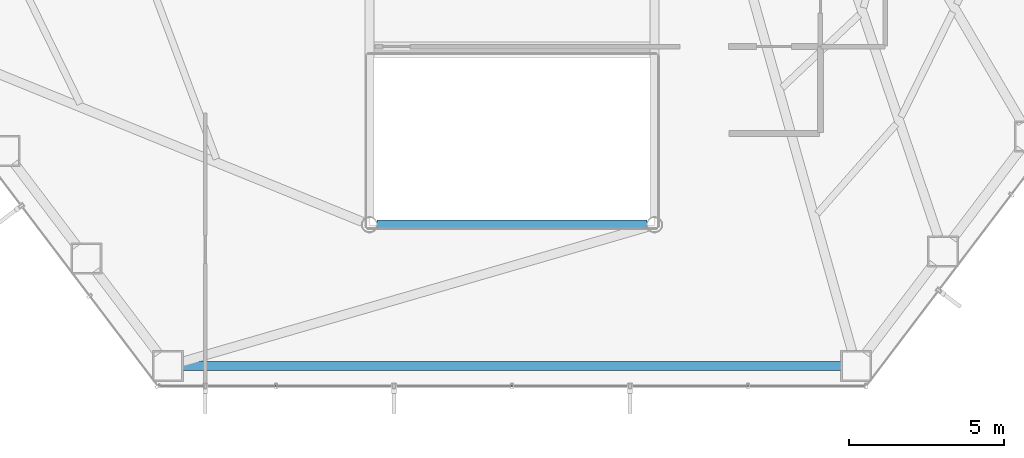
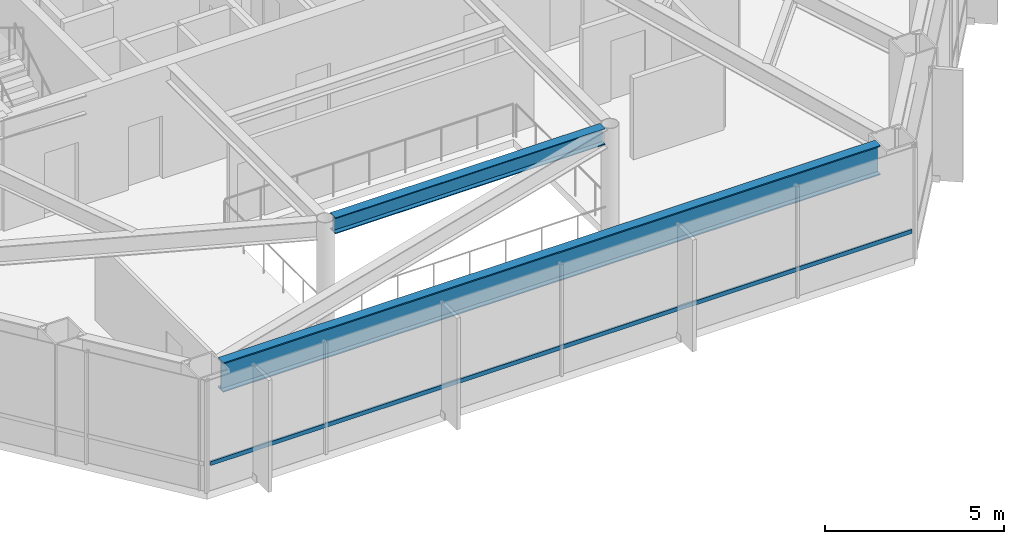
# One storey, part 6 of 26: 2 beams, 1 member, 1 element without a shape of its own.
"""IFC4 building model written with IfcOpenShell, lengths in metres."""

import ifcopenshell
import ifcopenshell.guid

model = None  # the IFC model being written
_history = None  # IfcOwnerHistory: only IFC2X3 demands one
_inside = {}  # id of a spatial element -> (the spatial element, [elements in it])
_under = {}  # id of a project, library or spatial element -> (it, [spatial elements below it])
_declared = {}  # id of a project -> (the project, [libraries it declares])
_typed = {}  # id of a type object -> (the type object, [elements of that type])
_made_of = {}  # id of a material, layer set ... -> (it, [elements and type objects made of it])


def new_model(schema):
    """Start an empty IFC model of exactly this schema.

    Asked for "IFC4X3", IfcOpenShell would pick the latest addendum, in which some entities
    have other attributes; the version numbers below select the first issue.
    IFC2X3 requires an IfcOwnerHistory on every rooted entity: one is made here for all.
    """
    global model, _history
    if schema == "IFC4X3":
        model = ifcopenshell.file(schema_version=(4, 3, 0, 0))
    else:
        model = ifcopenshell.file(schema=schema)
    _inside.clear()
    _under.clear()
    _declared.clear()
    _typed.clear()
    _made_of.clear()
    _history = None
    if model.schema == "IFC2X3":
        org = make("IfcOrganization", Name="unknown")
        user = make(
            "IfcPersonAndOrganization",
            ThePerson=make("IfcPerson", FamilyName="unknown"),
            TheOrganization=org,
        )
        app = make(
            "IfcApplication",
            ApplicationDeveloper=org,
            Version="unknown",
            ApplicationFullName="unknown",
            ApplicationIdentifier="unknown",
        )
        _history = make(
            "IfcOwnerHistory",
            OwningUser=user,
            OwningApplication=app,
            ChangeAction="ADDED",
            CreationDate=0,
        )
    return model


def make(cls, **values):
    """One entity of the class cls with the attributes given. An attribute that is None is left unset."""
    return model.create_entity(
        cls, **{name: value for name, value in values.items() if value is not None}
    )


def rooted(cls, **values):
    """An entity with a GlobalId (a new one), such as an element, a storey or a relation."""
    return make(cls, GlobalId=ifcopenshell.guid.new(), OwnerHistory=_history, **values)


def si_unit(unit_type, name, prefix=None):
    """IfcSIUnit, for example si_unit("LENGTHUNIT", "METRE", prefix="MILLI")."""
    return make("IfcSIUnit", UnitType=unit_type, Prefix=prefix, Name=name)


def assignment(units):
    """IfcUnitAssignment: the units of a project."""
    return None if units is None else make("IfcUnitAssignment", Units=units)


def point(xyz):
    """IfcCartesianPoint."""
    return None if xyz is None else make("IfcCartesianPoint", Coordinates=xyz)


def direction(xyz):
    """IfcDirection."""
    return None if xyz is None else make("IfcDirection", DirectionRatios=xyz)


def frame(location, z_axis=None, x_axis=None):
    """IfcAxis2Placement3D, a coordinate frame: its origin and axes. An axis left out is left unset."""
    return make(
        "IfcAxis2Placement3D",
        Location=point(location),
        Axis=direction(z_axis),
        RefDirection=direction(x_axis),
    )


def frame_2d(location, x_axis=None):
    """IfcAxis2Placement2D, a coordinate frame in the plane: its origin and x axis."""
    return make(
        "IfcAxis2Placement2D", Location=point(location), RefDirection=direction(x_axis)
    )


def origin():
    """The frame at (0, 0, 0) with its axes left unset."""
    return frame((0.0, 0.0, 0.0))


def origin_2d():
    """The frame at (0, 0) in the plane with its x axis left unset."""
    return frame_2d((0.0, 0.0))


def place(relative_to, where):
    """IfcLocalPlacement: puts the frame where relative to a parent placement (None: the world)."""
    return make(
        "IfcLocalPlacement", PlacementRelTo=relative_to, RelativePlacement=where
    )


def context(
    kind, dimensions, precision=None, world=None, true_north=None, identifier=None
):
    """IfcGeometricRepresentationContext, for example the 3D "Model" context."""
    return make(
        "IfcGeometricRepresentationContext",
        ContextIdentifier=identifier,
        ContextType=kind,
        CoordinateSpaceDimension=dimensions,
        Precision=precision,
        WorldCoordinateSystem=world,
        TrueNorth=true_north,
    )


def subcontext(parent, identifier, kind, view, scale=None):
    """IfcGeometricRepresentationSubContext, for example "Body" below "Model"."""
    return make(
        "IfcGeometricRepresentationSubContext",
        ContextIdentifier=identifier,
        ContextType=kind,
        ParentContext=parent,
        TargetScale=scale,
        TargetView=view,
    )


def project(units=None, contexts=None):
    """IfcProject with its units and contexts."""
    return rooted(
        "IfcProject",
        Name="project",
        RepresentationContexts=contexts,
        UnitsInContext=assignment(units),
    )


def spatial(cls, under=None, at=None, **own):
    """A site, building, storey or space (cls), placed at a placement, below another one or the project."""
    s = rooted(cls, ObjectPlacement=at, **own)
    if under is not None:
        _under.setdefault(under.id(), (under, []))[1].append(s)
    return s


def profile(cls, at=None, kind="AREA", **sizes):
    """A parametric profile (cls). Its sizes go by their IFC names, for example OverallWidth=200.0."""
    return make(cls, ProfileType=kind, Position=at, **sizes)


def hollow_rectangle(**sizes):
    """IfcRectangleHollowProfileDef."""
    return profile("IfcRectangleHollowProfileDef", **sizes)


def i_section(**sizes):
    """IfcIShapeProfileDef."""
    return profile("IfcIShapeProfileDef", **sizes)


def extrude(swept, where, along, depth):
    """IfcExtrudedAreaSolid: the profile swept, set in the frame where, extruded along a direction by depth."""
    return make(
        "IfcExtrudedAreaSolid",
        SweptArea=swept,
        Position=where,
        ExtrudedDirection=direction(along),
        Depth=depth,
    )


def shape(context_of_items, identifier, shape_type, items):
    """IfcShapeRepresentation: the items that make up one representation, for example the "Body"."""
    return make(
        "IfcShapeRepresentation",
        ContextOfItems=context_of_items,
        RepresentationIdentifier=identifier,
        RepresentationType=shape_type,
        Items=items,
    )


def material(Name=None, Category=None):
    """IfcMaterial."""
    return make("IfcMaterial", Name=Name, Category=Category)


def layer(
    of_material, thickness, ventilated=None, Name=None, Category=None, Priority=None
):
    """IfcMaterialLayer: one layer of a wall or slab, of a material (None: an air gap)."""
    return make(
        "IfcMaterialLayer",
        Material=of_material,
        LayerThickness=thickness,
        IsVentilated=ventilated,
        Name=Name,
        Category=Category,
        Priority=Priority,
    )


def layer_set(layers, Name=None):
    """IfcMaterialLayerSet."""
    return make("IfcMaterialLayerSet", MaterialLayers=layers, LayerSetName=Name)


def material_profile(
    of_material, cross_section, Name=None, Category=None, Priority=None
):
    """IfcMaterialProfile: a cross section and its material."""
    return make(
        "IfcMaterialProfile",
        Name=Name,
        Material=of_material,
        Profile=cross_section,
        Priority=Priority,
        Category=Category,
    )


def profile_set(profiles, Name=None, composite=None):
    """IfcMaterialProfileSet."""
    return make(
        "IfcMaterialProfileSet",
        Name=Name,
        MaterialProfiles=profiles,
        CompositeProfile=composite,
    )


def made_of(thing, what):
    """Note that an element or type object is made of a material, layer set ...; save() writes the relation."""
    if what is not None:
        _made_of.setdefault(what.id(), (what, []))[1].append(thing)
    return thing


def type_object(cls, material=None, **own):
    """A type object (cls), such as IfcWallType, which elements share."""
    return made_of(rooted(cls, **own), material)


def element(
    cls,
    number,
    at=None,
    inside=None,
    cuts=None,
    type_object=None,
    material=None,
    context=None,
    identifier="Body",
    shape_type=None,
    held_by="IfcProductDefinitionShape",
    body=None,
    shapes=None,
    **own,
):
    """One element of the class cls, such as IfcWall. Its Tag is "e" and its number.

    at: its placement. inside: the storey or other place that contains it. cuts: it is an
    opening in that element (IfcRelVoidsElement). A single representation is given by context,
    identifier, shape_type and body (its items); several are given by shapes. held_by: the class
    of the entity that holds the representations. save() writes the other relations.
    """
    e = rooted(cls, Tag="e%d" % number, ObjectPlacement=at, **own)
    if body is not None:
        shapes = [shape(context, identifier, shape_type, body)]
    if shapes is not None:
        e.Representation = make(held_by, Representations=shapes)
    if inside is not None:
        _inside.setdefault(inside.id(), (inside, []))[1].append(e)
    if cuts is not None:
        rooted(
            "IfcRelVoidsElement", RelatingBuildingElement=cuts, RelatedOpeningElement=e
        )
    if type_object is not None:
        _typed.setdefault(type_object.id(), (type_object, []))[1].append(e)
    return made_of(e, material)


def aggregate(whole, parts):
    """IfcRelAggregates: a whole, such as a stair, and the parts it consists of."""
    return rooted("IfcRelAggregates", RelatingObject=whole, RelatedObjects=parts)


def save(model, path):
    """Write the relations noted so far, then the file.

    IfcRelAggregates (storeys below a building ...), IfcRelContainedInSpatialStructure (elements
    in a storey), IfcRelDefinesByType, IfcRelAssociatesMaterial and IfcRelDeclares: one each for
    every whole, place, type object, material and project.
    """
    for whole, parts in _under.values():
        aggregate(whole, parts)
    for where, things in _inside.values():
        rooted(
            "IfcRelContainedInSpatialStructure",
            RelatedElements=things,
            RelatingStructure=where,
        )
    for kind, things in _typed.values():
        rooted("IfcRelDefinesByType", RelatedObjects=things, RelatingType=kind)
    for what, things in _made_of.values():
        rooted("IfcRelAssociatesMaterial", RelatedObjects=things, RelatingMaterial=what)
    for by, libraries in _declared.values():
        rooted("IfcRelDeclares", RelatingContext=by, RelatedDefinitions=libraries)
    model.write(path)


model = new_model("IFC4")

# Units and contexts
model_context = context("Model", 3, precision=1e-05, world=origin(), true_north=direction((0.0, 1.0)))
body_context = subcontext(model_context, "Body", "Model", "MODEL_VIEW")
ifc_project = project(units=[si_unit("LENGTHUNIT", "METRE"), si_unit("AREAUNIT", "SQUARE_METRE"), si_unit("VOLUMEUNIT", "CUBIC_METRE"), si_unit("PLANEANGLEUNIT", "RADIAN"), si_unit("MASSUNIT", "GRAM", prefix="KILO")], contexts=[model_context])

# Site, building, storey
site_placement = place(None, origin())
site = spatial("IfcSite", under=ifc_project, at=site_placement, CompositionType="ELEMENT")
building_placement = place(site_placement, origin())
building = spatial("IfcBuilding", under=site, at=building_placement, Name="Zarrinselat Tower", CompositionType="ELEMENT")
storey_placement = place(building_placement, frame((0.0, 0.0, 27.5400390625)))
storey = spatial("IfcBuildingStorey", under=building, at=storey_placement, Name="L06", CompositionType="ELEMENT", Elevation=27.5400390625)

# Beams
ifc_material_1 = material(Name="Steel S355J2", Category="steel")
ifc_material_profile_1 = material_profile(ifc_material_1, i_section(OverallWidth=0.300048828125, OverallDepth=0.550048828125, WebThickness=0.014892578125, FlangeThickness=0.029052734375, at=origin_2d()), Name="HEB 550")
ifc_profile_set_1 = profile_set([ifc_material_profile_1], Name="Steel S355J2")
beam_type_1 = type_object("IfcBeamType", Name="BM-HEB550", PredefinedType="BEAM", material=ifc_profile_set_1)
beam_1_placement = place(storey_placement, frame((34.0400390625, 24.39990234375, 3.544921875), z_axis=(1.0, 0.0, 0.0), x_axis=(0.0, 1.0, 0.0)))
element("IfcBeam", 1, at=beam_1_placement, inside=storey, type_object=beam_type_1, Name="L06 Atrium Edge Beam S", PredefinedType="BEAM", context=body_context, shape_type="SweptSolid", body=[
    extrude(i_section(OverallWidth=0.300048828125, OverallDepth=0.550048828125, WebThickness=0.014892578125, FlangeThickness=0.029052734375, at=origin_2d()), origin(), (0.0, 0.0, 1.0), 8.719970703125),
])
ifc_material_2 = material(Name="Steel S460M", Category="steel")
ifc_material_profile_2 = material_profile(ifc_material_2, i_section(OverallWidth=0.302001953125, OverallDepth=1.008056640625, WebThickness=0.02099609375, FlangeThickness=0.0400390625, at=origin_2d()), Name="HEM 1000")
ifc_profile_set_2 = profile_set([ifc_material_profile_2], Name="Steel S460M")
beam_type_2 = type_object("IfcBeamType", Name="BM-HEM1000", PredefinedType="BEAM", material=ifc_profile_set_2)
beam_2_placement = place(storey_placement, frame((27.77978515625, 19.84033203125, 3.31591796875), z_axis=(1.0, 0.0, 0.0), x_axis=(0.0, 1.0, 0.0)))
element("IfcBeam", 2, at=beam_2_placement, inside=storey, type_object=beam_type_2, Name="L06 Perimeter Spandrel Girder SP10", PredefinedType="BEAM", context=body_context, shape_type="SweptSolid", body=[
    extrude(i_section(OverallWidth=0.302001953125, OverallDepth=1.008056640625, WebThickness=0.02099609375, FlangeThickness=0.0400390625, at=origin_2d()), origin(), (0.0, 0.0, 1.0), 21.240478515625),
])

# Curtain wall, member
ifc_material_3 = material(Name="Extruded Aluminium Alloy EN AW-6063 T6", Category="aluminium")
ifc_layer = layer(ifc_material_3, 0.18505859375)
ifc_layer_set = layer_set([ifc_layer], Name="Extruded Aluminium Alloy EN AW-6063 T6")
curtain_wall_type = type_object("IfcCurtainWallType", Name="CWS-OFF", PredefinedType="NOTDEFINED", material=ifc_layer_set)
curtain_wall_placement = place(storey_placement, origin())
curtain_wall = element("IfcCurtainWall", 3, at=curtain_wall_placement, inside=storey, type_object=curtain_wall_type, Name="L06 Unitised Curtain Wall CW-L06-E04", PredefinedType="NOTDEFINED")
ifc_material_4 = material(Name="Extruded Aluminium Alloy EN AW-6063 T6", Category="aluminium")
ifc_material_profile_3 = material_profile(ifc_material_4, hollow_rectangle(XDim=0.06005859375, YDim=0.139892578125, WallThickness=0.00390625, at=origin_2d()), Name="RHS 140x60x4")
ifc_profile_set_3 = profile_set([ifc_material_profile_3], Name="Extruded Aluminium Alloy EN AW-6063 T6")
member_type = type_object("IfcMemberType", Name="MEM-CW-TRN", PredefinedType="USERDEFINED", material=ifc_profile_set_3)
member_placement = place(storey_placement, frame((27.05859375, 19.1904296875, 0.949951171875), z_axis=(1.0, 0.0, 0.0), x_axis=(0.0, 1.0, 0.0)))
member = element("IfcMember", 4, at=member_placement, type_object=member_type, Name="CW-L06-E04 Transom 1", ObjectType="TRANSOM", PredefinedType="USERDEFINED", context=body_context, shape_type="SweptSolid", body=[
    extrude(hollow_rectangle(XDim=0.06005859375, YDim=0.139892578125, WallThickness=0.00390625, at=origin_2d()), origin(), (0.0, 0.0, 1.0), 22.6826171875),
])
aggregate(curtain_wall, [member])

save(model, "model.ifc")
